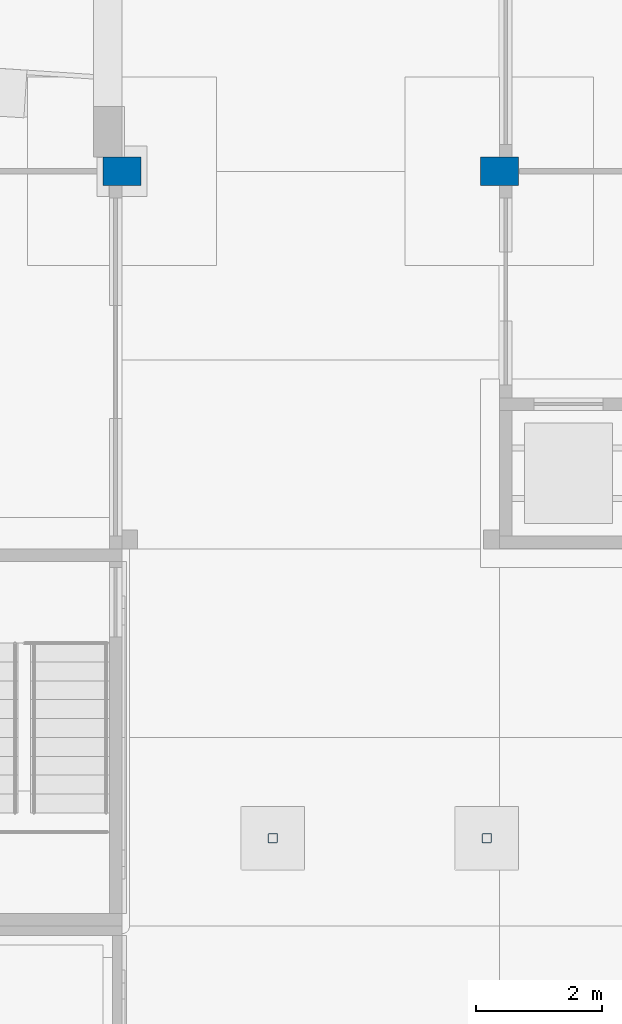
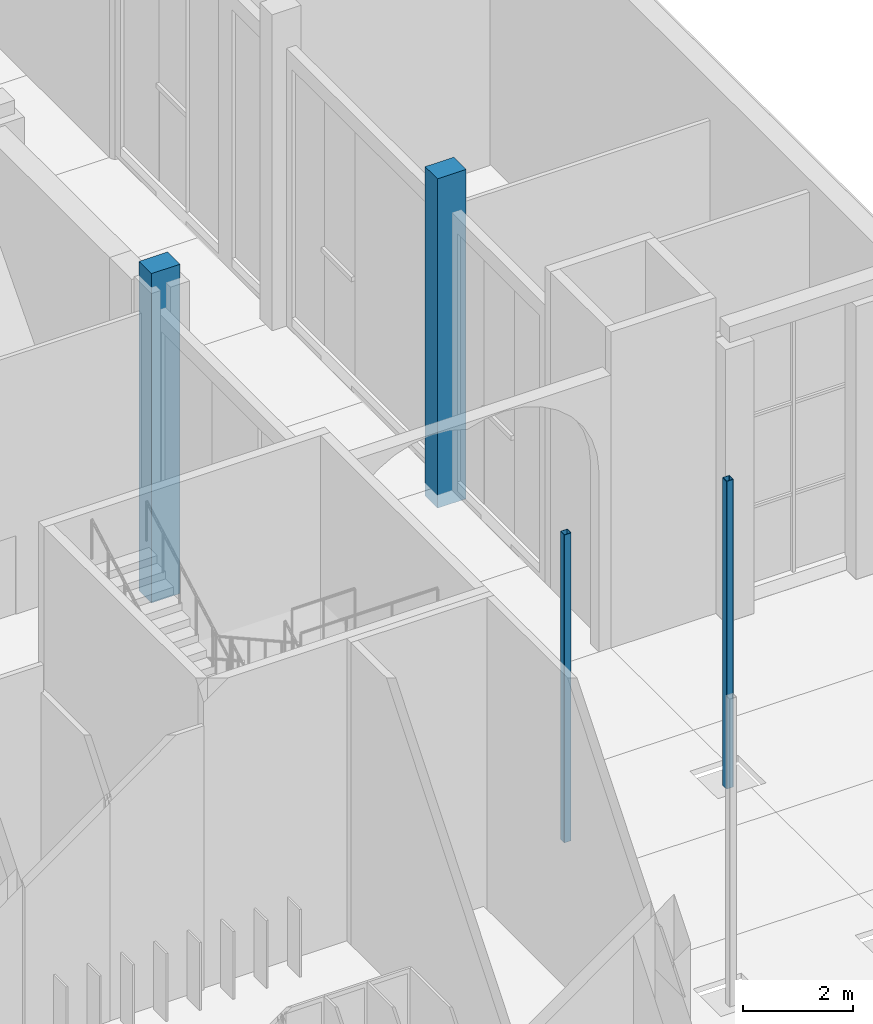
# One storey, part 17 of 95: 4 columns.
"""IFC4 building model written with IfcOpenShell, lengths in metres."""

from ifc_helpers import new_model, si_unit, direction, frame, origin, origin_2d, place, context, subcontext, project, spatial, rectangle, hollow_rectangle, extrude, material, material_profile, profile_set, type_object, element, save


model = new_model("IFC4")

# Units and contexts
model_context = context("Model", 3, precision=1e-05, world=origin(), true_north=direction((0.0, 1.0)))
body_context = subcontext(model_context, "Body", "Model", "MODEL_VIEW")
ifc_project = project(units=[si_unit("LENGTHUNIT", "METRE"), si_unit("AREAUNIT", "SQUARE_METRE"), si_unit("VOLUMEUNIT", "CUBIC_METRE"), si_unit("PLANEANGLEUNIT", "RADIAN"), si_unit("MASSUNIT", "GRAM", prefix="KILO")], contexts=[model_context])

# Site, building, storey
site_placement = place(None, origin())
site = spatial("IfcSite", under=ifc_project, at=site_placement, CompositionType="ELEMENT")
building_placement = place(site_placement, origin())
building = spatial("IfcBuilding", under=site, at=building_placement, Name="Saffron Lane Theatres", CompositionType="ELEMENT")
storey_placement = place(building_placement, origin())
storey = spatial("IfcBuildingStorey", under=building, at=storey_placement, Name="L00", CompositionType="ELEMENT", Elevation=0.0)

# Columns
ifc_material_1 = material(Name="Concrete N50 (50 MPa)", Category="concrete")
ifc_material_profile_1 = material_profile(ifc_material_1, rectangle(XDim=0.60009765625, YDim=0.449951171875, at=origin_2d()))
ifc_profile_set_1 = profile_set([ifc_material_profile_1], Name="Concrete N50 (50 MPa)")
column_type_1 = type_object("IfcColumnType", Name="RC-COL 600x450", PredefinedType="COLUMN", material=ifc_profile_set_1)
for number, where, z_axis, x_axis, name in (
    (1, (54.0, 108.0, -0.300048828125), (0.0, 0.0, 1.0), (1.0, 0.0, 0.0), "col-L00-K19"),
    (2, (60.0, 108.0, -0.300048828125), (0.0, 0.0, 1.0), (1.0, 0.0, 0.0), "col-L00-L19"),
):
    element("IfcColumn", number, at=place(storey_placement, frame(where, z_axis=z_axis, x_axis=x_axis)), inside=storey, type_object=column_type_1, Name=name, PredefinedType="COLUMN", context=body_context, shape_type="SweptSolid", body=[
        extrude(rectangle(XDim=0.60009765625, YDim=0.449951171875, at=origin_2d()), origin(), (0.0, 0.0, 1.0), 7.300048828125),
    ])
ifc_material_2 = material(Name="Steel Grade 350", Category="steel")
ifc_material_profile_2 = material_profile(ifc_material_2, hollow_rectangle(XDim=0.14990234375, YDim=0.14990234375, WallThickness=0.009033203125, InnerFilletRadius=0.00439453125, OuterFilletRadius=0.013427734375, at=origin_2d()))
ifc_profile_set_2 = profile_set([ifc_material_profile_2], Name="Steel Grade 350")
column_type_2 = type_object("IfcColumnType", Name="ST-CANOPY COLUMN 150x150x9 SHS", PredefinedType="COLUMN", material=ifc_profile_set_2)
for number, where, z_axis, x_axis, name in (
    (3, (56.39990234375, 97.39990234375, -0.199951171875), (0.0, 0.0, 1.0), (1.0, 0.0, 0.0), "CCW12"),
    (4, (59.800048828125, 97.39990234375, -0.199951171875), (0.0, 0.0, 1.0), (1.0, 0.0, 0.0), "CCE12"),
):
    element("IfcColumn", number, at=place(storey_placement, frame(where, z_axis=z_axis, x_axis=x_axis)), inside=storey, type_object=column_type_2, Name=name, PredefinedType="COLUMN", context=body_context, shape_type="SweptSolid", body=[
        extrude(hollow_rectangle(XDim=0.14990234375, YDim=0.14990234375, WallThickness=0.009033203125, InnerFilletRadius=0.00439453125, OuterFilletRadius=0.013427734375, at=origin_2d()), origin(), (0.0, 0.0, 1.0), 6.822021484375),
    ])

save(model, "model.ifc")
